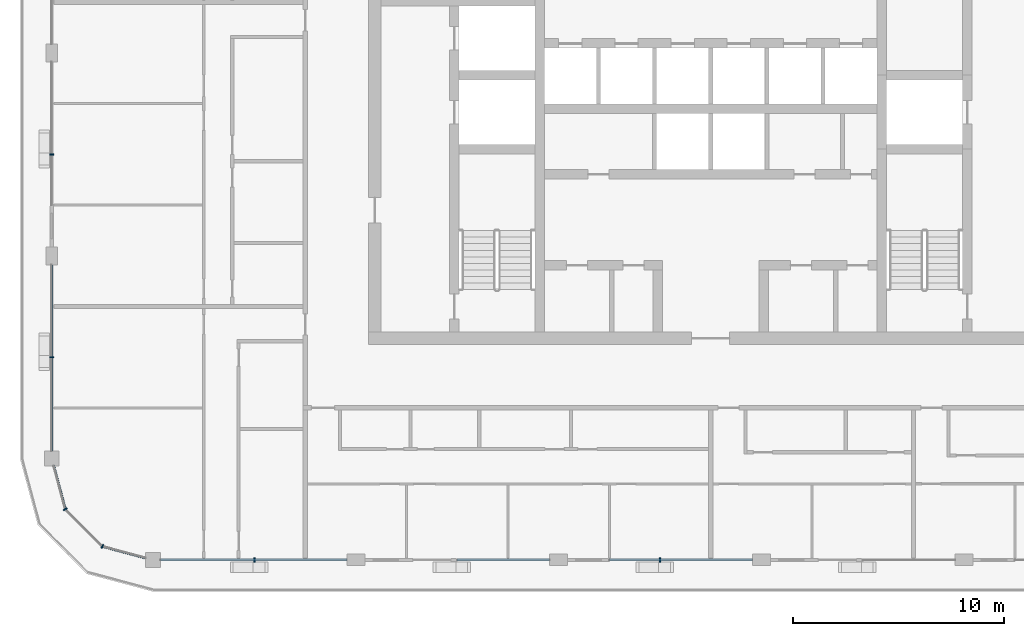
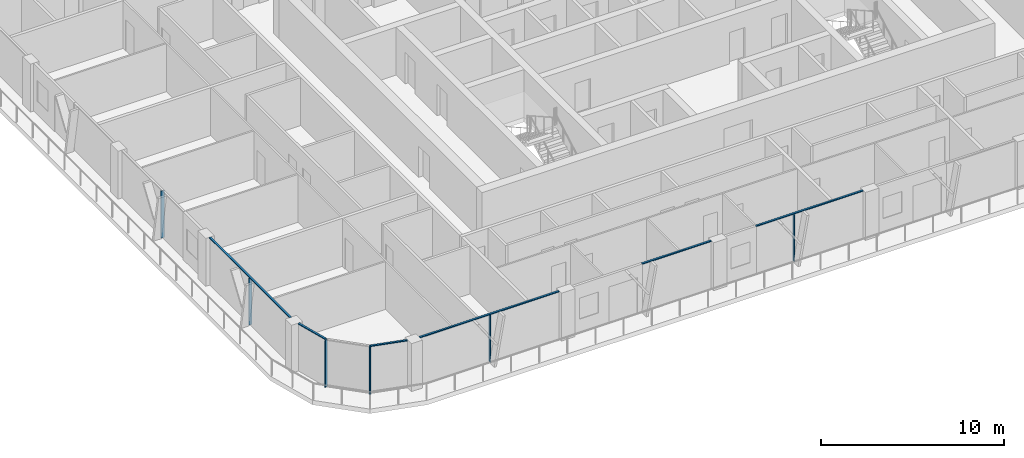
# One storey, part 2 of 21: 12 members, 6 elements without a shape of their own.
"""IFC4 building model written with IfcOpenShell, lengths in metres."""

from ifc_helpers import new_model, si_unit, direction, frame, origin, origin_2d, place, context, subcontext, project, spatial, rectangle, extrude, material, layer, layer_set, material_profile, profile_set, type_object, element, aggregate, save


model = new_model("IFC4")

# Units and contexts
model_context = context("Model", 3, precision=1e-05, world=origin(), true_north=direction((0.0, 1.0)))
body_context = subcontext(model_context, "Body", "Model", "MODEL_VIEW")
ifc_project = project(units=[si_unit("LENGTHUNIT", "METRE"), si_unit("AREAUNIT", "SQUARE_METRE"), si_unit("VOLUMEUNIT", "CUBIC_METRE"), si_unit("PLANEANGLEUNIT", "RADIAN"), si_unit("MASSUNIT", "GRAM", prefix="KILO")], contexts=[model_context])

# Site, building, storey
site_placement = place(None, origin())
site = spatial("IfcSite", under=ifc_project, at=site_placement, CompositionType="ELEMENT")
building_placement = place(site_placement, origin())
building = spatial("IfcBuilding", under=site, at=building_placement, Name="Madar Terraces", CompositionType="ELEMENT")
storey_placement = place(building_placement, frame((0.0, 0.0, 238.699951171875)))
storey = spatial("IfcBuildingStorey", under=building, at=storey_placement, Name="L62", CompositionType="ELEMENT", Elevation=238.699951171875)

# Curtain wall, member
ifc_material_1 = material(Name="Glass, ceramic frit dark grey, with black aluminium frame", Category="aluminium")
ifc_layer = layer(ifc_material_1, 0.199951171875)
ifc_layer_set = layer_set([ifc_layer], Name="Facade curtain wall, fritted glass")
curtain_wall_type = type_object("IfcCurtainWallType", Name="Facade curtain wall, fritted glass", PredefinedType="NOTDEFINED", material=ifc_layer_set)
curtain_wall_1_placement = place(storey_placement, origin())
curtain_wall_1 = element("IfcCurtainWall", 1, at=curtain_wall_1_placement, inside=storey, type_object=curtain_wall_type, Name="Outer skin curtain wall south bay 1", PredefinedType="NOTDEFINED")
ifc_material_2 = material(Name="Aluminium, black anodised", Category="aluminium")
ifc_material_profile_1 = material_profile(ifc_material_2, rectangle(XDim=0.199951171875, YDim=0.06005859375, at=origin_2d()), Name="Facade mullion 60x200")
ifc_profile_set_1 = profile_set([ifc_material_profile_1], Name="Aluminium, black anodised")
member_type_1 = type_object("IfcMemberType", Name="Facade mullion 60x200", PredefinedType="MULLION", material=ifc_profile_set_1)
member_1_placement = place(storey_placement, frame((9.60009765625, 4.800048828125, 0.0), z_axis=(0.0, 0.0, 1.0), x_axis=(0.0, 1.0, 0.0)))
member_1 = element("IfcMember", 2, at=member_1_placement, type_object=member_type_1, Name="Mullion 1", PredefinedType="MULLION", context=body_context, shape_type="SweptSolid", body=[
    extrude(rectangle(XDim=0.199951171875, YDim=0.06005859375, at=origin_2d()), origin(), (0.0, 0.0, 1.0), 3.14013671875),
])

curtain_wall_2_placement = place(storey_placement, origin())
curtain_wall_2 = element("IfcCurtainWall", 3, at=curtain_wall_2_placement, inside=storey, type_object=curtain_wall_type, Name="Outer skin curtain wall south bay 3", PredefinedType="NOTDEFINED")
member_2_placement = place(storey_placement, frame((28.800048828125, 4.800048828125, 0.0), z_axis=(0.0, 0.0, 1.0), x_axis=(0.0, 1.0, 0.0)))
member_2 = element("IfcMember", 4, at=member_2_placement, type_object=member_type_1, Name="Mullion 1", PredefinedType="MULLION", context=body_context, shape_type="SweptSolid", body=[
    extrude(rectangle(XDim=0.199951171875, YDim=0.06005859375, at=origin_2d()), origin(), (0.0, 0.0, 1.0), 3.14013671875),
])

curtain_wall_3_placement = place(storey_placement, origin())
curtain_wall_3 = element("IfcCurtainWall", 5, at=curtain_wall_3_placement, inside=storey, type_object=curtain_wall_type, Name="Outer skin curtain wall west bay 3", PredefinedType="NOTDEFINED")
member_3_placement = place(storey_placement, frame((0.0, 24.0, 0.0), z_axis=(0.0, 0.0, 1.0), x_axis=(1.0, 0.0, 0.0)))
member_3 = element("IfcMember", 6, at=member_3_placement, type_object=member_type_1, Name="Mullion 1", PredefinedType="MULLION", context=body_context, shape_type="SweptSolid", body=[
    extrude(rectangle(XDim=0.199951171875, YDim=0.06005859375, at=origin_2d()), origin(), (0.0, 0.0, 1.0), 3.14013671875),
])
aggregate(curtain_wall_3, [member_3])

curtain_wall_4_placement = place(storey_placement, origin())
curtain_wall_4 = element("IfcCurtainWall", 7, at=curtain_wall_4_placement, inside=storey, type_object=curtain_wall_type, Name="Outer skin curtain wall west bay 4", PredefinedType="NOTDEFINED")
member_4_placement = place(storey_placement, frame((0.0, 14.39990234375, 0.0), z_axis=(0.0, 0.0, 1.0), x_axis=(1.0, 0.0, 0.0)))
member_4 = element("IfcMember", 8, at=member_4_placement, type_object=member_type_1, Name="Mullion 1", PredefinedType="MULLION", context=body_context, shape_type="SweptSolid", body=[
    extrude(rectangle(XDim=0.199951171875, YDim=0.06005859375, at=origin_2d()), origin(), (0.0, 0.0, 1.0), 3.14013671875),
])

# Curtain wall, members
curtain_wall_5_placement = place(storey_placement, origin())
curtain_wall_5 = element("IfcCurtainWall", 9, at=curtain_wall_5_placement, inside=storey, type_object=curtain_wall_type, Name="Outer skin curtain wall south-west corner", PredefinedType="NOTDEFINED")
member_5_placement = place(storey_placement, frame((0.64306640625, 7.199951171875, 0.0), z_axis=(0.0, 0.0, 1.0), x_axis=(0.866025409797, 0.499999989586, 0.0)))
member_5 = element("IfcMember", 10, at=member_5_placement, type_object=member_type_1, Name="Mullion 1", PredefinedType="MULLION", context=body_context, shape_type="SweptSolid", body=[
    extrude(rectangle(XDim=0.199951171875, YDim=0.06005859375, at=origin_2d()), origin(), (0.0, 0.0, 1.0), 3.14013671875),
])
member_6_placement = place(storey_placement, frame((2.39990234375, 5.443115234375, 0.0), z_axis=(0.0, 0.0, 1.0), x_axis=(0.499999989586, 0.866025409797, 0.0)))
member_6 = element("IfcMember", 11, at=member_6_placement, type_object=member_type_1, Name="Mullion 2", PredefinedType="MULLION", context=body_context, shape_type="SweptSolid", body=[
    extrude(rectangle(XDim=0.199951171875, YDim=0.06005859375, at=origin_2d()), origin(), (0.0, 0.0, 1.0), 3.14013671875),
])

# Member
ifc_material_3 = material(Name="Aluminium, black anodised", Category="aluminium")
ifc_material_profile_2 = material_profile(ifc_material_3, rectangle(XDim=0.1201171875, YDim=0.06005859375, at=origin_2d()), Name="Facade transom 60x120")
ifc_profile_set_2 = profile_set([ifc_material_profile_2], Name="Aluminium, black anodised")
member_type_2 = type_object("IfcMemberType", Name="Facade transom 60x120", PredefinedType="USERDEFINED", material=ifc_profile_set_2)
member_7_placement = place(storey_placement, frame((5.14990234375, 4.800048828125, 3.170166015625), z_axis=(1.0, 0.0, 0.0), x_axis=(0.0, 1.0, 0.0)))
member_7 = element("IfcMember", 12, at=member_7_placement, type_object=member_type_2, Name="Transom 1", ObjectType="TRANSOM", PredefinedType="USERDEFINED", context=body_context, shape_type="SweptSolid", body=[
    extrude(rectangle(XDim=0.1201171875, YDim=0.06005859375, at=origin_2d()), origin(), (0.0, 0.0, 1.0), 8.8251953125),
])

aggregate(curtain_wall_1, [member_1, member_7])

# Curtain wall, member
curtain_wall_6_placement = place(storey_placement, origin())
curtain_wall_6 = element("IfcCurtainWall", 13, at=curtain_wall_6_placement, inside=storey, type_object=curtain_wall_type, Name="Outer skin curtain wall south bay 2", PredefinedType="NOTDEFINED")
member_8_placement = place(storey_placement, frame((19.199951171875, 4.800048828125, 3.170166015625), z_axis=(1.0, 0.0, 0.0), x_axis=(0.0, 1.0, 0.0)))
member_8 = element("IfcMember", 14, at=member_8_placement, type_object=member_type_2, Name="Transom 1", ObjectType="TRANSOM", PredefinedType="USERDEFINED", context=body_context, shape_type="SweptSolid", body=[
    extrude(rectangle(XDim=0.1201171875, YDim=0.06005859375, at=origin_2d()), origin(), (0.0, 0.0, 1.0), 4.375),
])
aggregate(curtain_wall_6, [member_8])

# Member
member_9_placement = place(storey_placement, frame((26.39990234375, 4.800048828125, 3.170166015625), z_axis=(1.0, 0.0, 0.0), x_axis=(0.0, 1.0, 0.0)))
member_9 = element("IfcMember", 15, at=member_9_placement, type_object=member_type_2, Name="Transom 1", ObjectType="TRANSOM", PredefinedType="USERDEFINED", context=body_context, shape_type="SweptSolid", body=[
    extrude(rectangle(XDim=0.1201171875, YDim=0.06005859375, at=origin_2d()), origin(), (0.0, 0.0, 1.0), 6.775146484375),
])

aggregate(curtain_wall_2, [member_2, member_9])

member_10_placement = place(storey_placement, frame((0.0, 18.77490234375, 3.170166015625), z_axis=(0.0, -1.0, 0.0), x_axis=(1.0, 0.0, 0.0)))
member_10 = element("IfcMember", 16, at=member_10_placement, type_object=member_type_2, Name="Transom 1", ObjectType="TRANSOM", PredefinedType="USERDEFINED", context=body_context, shape_type="SweptSolid", body=[
    extrude(rectangle(XDim=0.1201171875, YDim=0.06005859375, at=origin_2d()), origin(), (0.0, 0.0, 1.0), 8.824951171875),
])

aggregate(curtain_wall_4, [member_4, member_10])

member_11_placement = place(storey_placement, frame((0.09375, 9.25, 3.170166015625), z_axis=(0.258809963731, -0.965928259589, 0.0), x_axis=(0.965928259589, 0.258809963731, 0.0)))
member_11 = element("IfcMember", 17, at=member_11_placement, type_object=member_type_2, Name="Transom 1", ObjectType="TRANSOM", PredefinedType="USERDEFINED", context=body_context, shape_type="SweptSolid", body=[
    extrude(rectangle(XDim=0.1201171875, YDim=0.06005859375, at=origin_2d()), origin(), (0.0, 0.0, 1.0), 2.09228515625),
])

member_12_placement = place(storey_placement, frame((2.428955078125, 5.435302734375, 3.170166015625), z_axis=(0.965928259589, -0.258809963731, 0.0), x_axis=(0.258809963731, 0.965928259589, 0.0)))
member_12 = element("IfcMember", 18, at=member_12_placement, type_object=member_type_2, Name="Transom 3", ObjectType="TRANSOM", PredefinedType="USERDEFINED", context=body_context, shape_type="SweptSolid", body=[
    extrude(rectangle(XDim=0.1201171875, YDim=0.06005859375, at=origin_2d()), origin(), (0.0, 0.0, 1.0), 2.09228515625),
])

aggregate(curtain_wall_5, [member_5, member_11, member_6, member_12])

save(model, "model.ifc")
